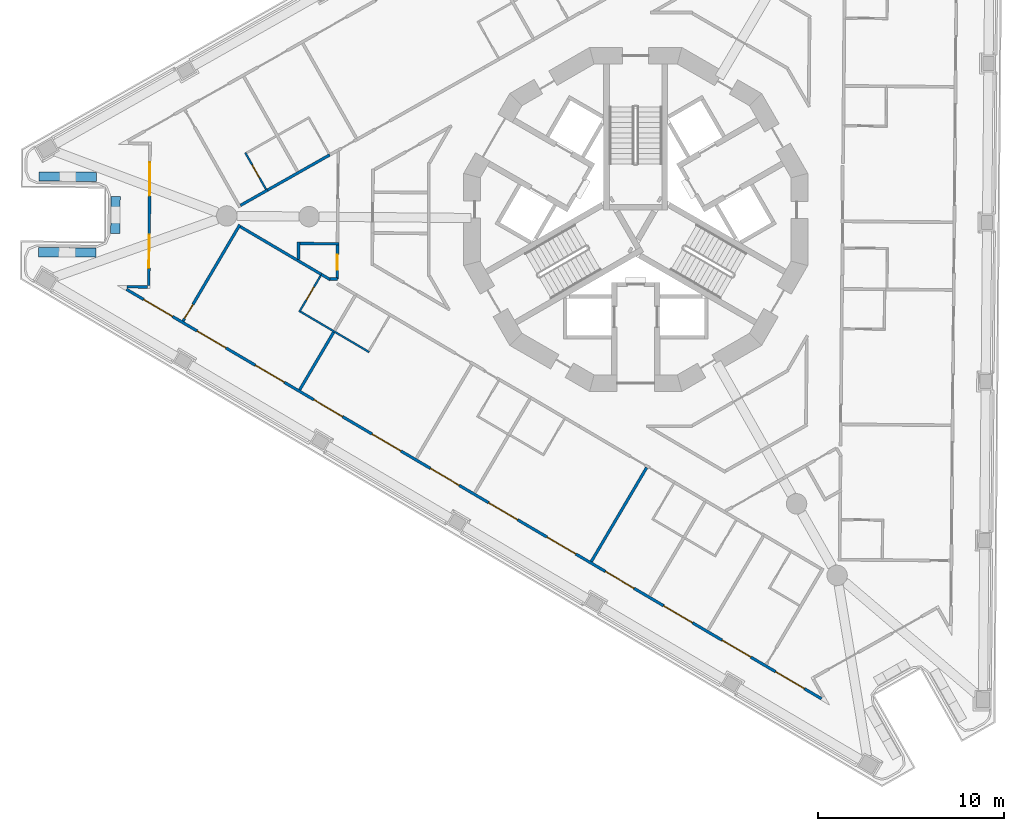
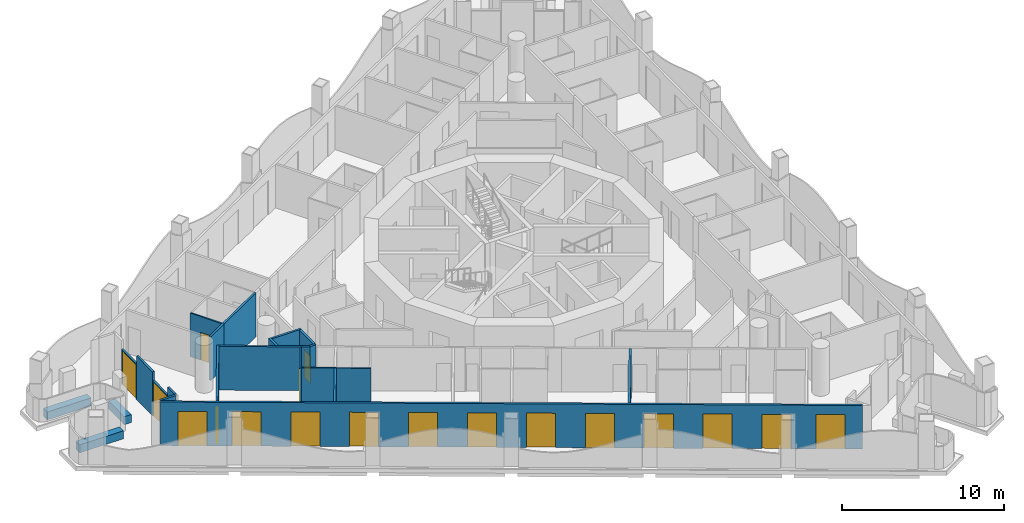
# One storey, part 2 of 17: 23 walls, 18 doors, 18 openings.
"""IFC4 building model written with IfcOpenShell, lengths in metres."""

from ifc_helpers import new_model, si_unit, direction, frame, frame_2d, origin, place, context, subcontext, project, spatial, polyline, rectangle, outline, extrude, material, layer, layer_set, type_object, element, fill, save


model = new_model("IFC4")

# Units and contexts
model_context = context("Model", 3, precision=1e-05, world=origin(), true_north=direction((0.0, 1.0)))
body_context = subcontext(model_context, "Body", "Model", "MODEL_VIEW")
ifc_project = project(units=[si_unit("LENGTHUNIT", "METRE"), si_unit("AREAUNIT", "SQUARE_METRE"), si_unit("VOLUMEUNIT", "CUBIC_METRE"), si_unit("PLANEANGLEUNIT", "RADIAN"), si_unit("MASSUNIT", "GRAM", prefix="KILO")], contexts=[model_context])

# Site, building, storey
site_placement = place(None, origin())
site = spatial("IfcSite", under=ifc_project, at=site_placement, CompositionType="ELEMENT")
building_placement = place(site_placement, origin())
building = spatial("IfcBuilding", under=site, at=building_placement, Name="Trine Commons Tower", CompositionType="ELEMENT")
storey_placement = place(building_placement, frame((0.0, 0.0, 164.699951171875)))
storey = spatial("IfcBuildingStorey", under=building, at=storey_placement, Name="L42", CompositionType="ELEMENT", Elevation=164.699951171875)

# Walls
ifc_material_1 = material(Name="Aluminium-framed insulated wall panel", Category="aluminium")
ifc_layer_1 = layer(ifc_material_1, 0.14990234375)
ifc_layer_set_1 = layer_set([ifc_layer_1], Name="Aluminium-framed insulated wall panel")
wall_type_1 = type_object("IfcWallType", Name="Glazed frame wall 150, EI 60", PredefinedType="SOLIDWALL", material=ifc_layer_set_1)
wall_1_placement = place(storey_placement, frame((52.447265625, 58.875244140625, 0.0), z_axis=(0.0, 0.0, 1.0), x_axis=(0.999962043845, -0.008712684354, 0.0)))
element("IfcWall", 1, at=wall_1_placement, inside=storey, type_object=wall_type_1, Name="Glazed frame wall R1", PredefinedType="SOLIDWALL", context=body_context, shape_type="SweptSolid", body=[
    extrude(outline(polyline([(0.1494140625, 0.074951171875), (0.1494140625, -0.074951171875), (1.235107421875, -0.074951171875), (1.235107421875, 0.074951171875), (0.1494140625, 0.074951171875)])), origin(), (0.0, 0.0, 1.0), 3.300048828125),
])
wall_2_placement = place(storey_placement, frame((53.7568359375, 58.828857421875, 0.0), z_axis=(0.0, 0.0, 1.0), x_axis=(0.008788723053, 0.999961378428, 0.0)))
element("IfcWall", 2, at=wall_2_placement, inside=storey, type_object=wall_type_1, Name="Glazed frame wall P1.1", PredefinedType="SOLIDWALL", context=body_context, shape_type="SweptSolid", body=[
    extrude(outline(polyline([(0.110107421875, -0.074951171875), (1.0, -0.074951171875), (1.0, 0.074951171875), (0.110107421875, 0.074951171875), (0.110107421875, -0.074951171875)])), origin(), (0.0, 0.0, 1.0), 3.300048828125),
])

# Wall, opening, door
wall_3_placement = place(storey_placement, frame((53.765625, 59.828857421875, 0.0), z_axis=(0.0, 0.0, 1.0), x_axis=(0.008737780017, 0.999961824872, 0.0)))
wall_3 = element("IfcWall", 3, at=wall_3_placement, inside=storey, type_object=wall_type_1, Name="Glazed frame wall P1.2", PredefinedType="SOLIDWALL", context=body_context, shape_type="SweptSolid", body=[
    extrude(outline(polyline([(0.0, -0.074951171875), (1.89990234375, -0.074951171875), (1.89990234375, 0.074951171875), (0.0, 0.074951171875), (0.0, -0.074951171875)])), origin(), (0.0, 0.0, 1.0), 2.650146484375),
])
opening_1_placement = place(wall_3_placement, frame((0.050048828125, 0.0, 0.0)))
opening_1 = element("IfcOpeningElement", 4, at=opening_1_placement, cuts=wall_3, Name="Opening BD-5P1-01", PredefinedType="OPENING", context=body_context, shape_type="SweptSolid", body=[
    extrude(rectangle(XDim=1.800048828125, YDim=2.60009765625, at=frame_2d((0.89990234375, 1.300048828125))), frame((0.0, 0.0849609375, 0.0), z_axis=(0.0, -1.0, 0.0), x_axis=(1.0, 0.0, 0.0)), (0.0, 0.0, 1.0), 0.169921875),
])
ifc_material_2 = material(Name="Anodised aluminium frame with double glazing", Category="aluminium")
door_type_1 = type_object("IfcDoorType", Name="Sliding loggia door 1800x2600", OperationType="SLIDING_TO_LEFT", PredefinedType="DOOR", material=ifc_material_2)
door_1_placement = place(opening_1_placement, origin())
door_1 = element("IfcDoor", 5, at=door_1_placement, inside=storey, type_object=door_type_1, Name="Loggia door P1 1", OperationType="SLIDING_TO_LEFT", OverallHeight=2.60009765625, OverallWidth=1.800048828125, PredefinedType="DOOR", context=body_context, shape_type="SweptSolid", body=[
    extrude(rectangle(XDim=1.800048828125, YDim=2.60009765625, at=frame_2d((0.89990234375, 1.300048828125))), frame((0.0, 0.02490234375, 0.0), z_axis=(0.0, -1.0, 0.0), x_axis=(1.0, 0.0, 0.0)), (0.0, 0.0, 1.0), 0.050048828125),
])
fill(opening_1, door_1)

# Wall
wall_4_placement = place(storey_placement, frame((53.7822265625, 61.728759765625, 0.0), z_axis=(0.0, 0.0, 1.0), x_axis=(0.008788723053, 0.999961378428, 0.0)))
element("IfcWall", 6, at=wall_4_placement, inside=storey, type_object=wall_type_1, Name="Glazed frame wall P1.3", PredefinedType="SOLIDWALL", context=body_context, shape_type="SweptSolid", body=[
    extrude(outline(polyline([(0.0, -0.074951171875), (2.0, -0.074951171875), (2.0, 0.074951171875), (0.0, 0.074951171875), (0.0, -0.074951171875)])), origin(), (0.0, 0.0, 1.0), 3.300048828125),
])

# Wall, opening, door
wall_5_placement = place(storey_placement, frame((53.7998046875, 63.728759765625, 0.0), z_axis=(0.0, 0.0, 1.0), x_axis=(0.008609292847, 0.999962939352, 0.0)))
wall_5 = element("IfcWall", 7, at=wall_5_placement, inside=storey, type_object=wall_type_1, Name="Glazed frame wall P1.4", PredefinedType="SOLIDWALL", context=body_context, shape_type="SweptSolid", body=[
    extrude(outline(polyline([(0.0, -0.074951171875), (1.89990234375, -0.074951171875), (1.89990234375, 0.074951171875), (0.0, 0.074951171875), (0.0, -0.074951171875)])), origin(), (0.0, 0.0, 1.0), 2.650146484375),
])
opening_2_placement = place(wall_5_placement, frame((0.050048828125, 0.0, 0.0)))
opening_2 = element("IfcOpeningElement", 8, at=opening_2_placement, cuts=wall_5, Name="Opening BD-5P1-02", PredefinedType="OPENING", context=body_context, shape_type="SweptSolid", body=[
    extrude(rectangle(XDim=1.800048828125, YDim=2.60009765625, at=frame_2d((0.89990234375, 1.300048828125))), frame((0.0, 0.0849609375, 0.0), z_axis=(0.0, -1.0, 0.0), x_axis=(1.0, 0.0, 0.0)), (0.0, 0.0, 1.0), 0.169921875),
])
door_2_placement = place(opening_2_placement, origin())
door_2 = element("IfcDoor", 9, at=door_2_placement, inside=storey, type_object=door_type_1, Name="Loggia door P1 2", OperationType="SLIDING_TO_LEFT", OverallHeight=2.60009765625, OverallWidth=1.800048828125, PredefinedType="DOOR", context=body_context, shape_type="SweptSolid", body=[
    extrude(rectangle(XDim=1.800048828125, YDim=2.60009765625, at=frame_2d((0.89990234375, 1.300048828125))), frame((0.0, 0.02490234375, 0.0), z_axis=(0.0, -1.0, 0.0), x_axis=(1.0, 0.0, 0.0)), (0.0, 0.0, 1.0), 0.050048828125),
])
fill(opening_2, door_2)

# Wall, openings, doors
wall_6_placement = place(storey_placement, frame((90.139404296875, 36.59716796875, 0.0), z_axis=(0.0, 0.0, 1.0), x_axis=(-0.861630336939, 0.507536365659, 0.0)))
wall_6 = element("IfcWall", 10, at=wall_6_placement, inside=storey, type_object=wall_type_1, Name="Glazed frame wall F3", PredefinedType="SOLIDWALL", context=body_context, shape_type="SweptSolid", body=[
    extrude(outline(polyline([(0.1494140625, 0.074951171875), (0.1494140625, -0.074951171875), (43.616943359375, -0.074951171875), (43.616943359375, 0.074951171875), (0.1494140625, 0.074951171875)])), origin(), (0.0, 0.0, 1.0), 3.300048828125),
])
opening_3_placement = place(wall_6_placement, frame((1.2236328125, 0.0, 0.0)))
opening_3 = element("IfcOpeningElement", 11, at=opening_3_placement, cuts=wall_6, Name="Opening BD-5F3-01", PredefinedType="OPENING", context=body_context, shape_type="SweptSolid", body=[
    extrude(rectangle(XDim=1.800048828125, YDim=2.60009765625, at=frame_2d((0.89990234375, 1.300048828125))), frame((0.0, 0.0849609375, 0.0), z_axis=(0.0, -1.0, 0.0), x_axis=(1.0, 0.0, 0.0)), (0.0, 0.0, 1.0), 0.169921875),
])
opening_4_placement = place(wall_6_placement, frame((4.57080078125, 0.0, 0.0)))
opening_4 = element("IfcOpeningElement", 12, at=opening_4_placement, cuts=wall_6, Name="Opening BD-5F3-02", PredefinedType="OPENING", context=body_context, shape_type="SweptSolid", body=[
    extrude(rectangle(XDim=1.800048828125, YDim=2.60009765625, at=frame_2d((0.89990234375, 1.300048828125))), frame((0.0, 0.0849609375, 0.0), z_axis=(0.0, -1.0, 0.0), x_axis=(1.0, 0.0, 0.0)), (0.0, 0.0, 1.0), 0.169921875),
])
opening_5_placement = place(wall_6_placement, frame((8.218017578125, 0.0, 0.0)))
opening_5 = element("IfcOpeningElement", 13, at=opening_5_placement, cuts=wall_6, Name="Opening BD-5F3-03", PredefinedType="OPENING", context=body_context, shape_type="SweptSolid", body=[
    extrude(rectangle(XDim=1.800048828125, YDim=2.60009765625, at=frame_2d((0.89990234375, 1.300048828125))), frame((0.0, 0.0849609375, 0.0), z_axis=(0.0, -1.0, 0.0), x_axis=(1.0, 0.0, 0.0)), (0.0, 0.0, 1.0), 0.169921875),
])
opening_6_placement = place(wall_6_placement, frame((11.865234375, 0.0, 0.0)))
opening_6 = element("IfcOpeningElement", 14, at=opening_6_placement, cuts=wall_6, Name="Opening BD-5F3-04", PredefinedType="OPENING", context=body_context, shape_type="SweptSolid", body=[
    extrude(rectangle(XDim=1.800048828125, YDim=2.60009765625, at=frame_2d((0.89990234375, 1.300048828125))), frame((0.0, 0.0849609375, 0.0), z_axis=(0.0, -1.0, 0.0), x_axis=(1.0, 0.0, 0.0)), (0.0, 0.0, 1.0), 0.169921875),
])
opening_7_placement = place(wall_6_placement, frame((15.512451171875, 0.0, 0.0)))
opening_7 = element("IfcOpeningElement", 15, at=opening_7_placement, cuts=wall_6, Name="Opening BD-5F3-05", PredefinedType="OPENING", context=body_context, shape_type="SweptSolid", body=[
    extrude(rectangle(XDim=1.800048828125, YDim=2.60009765625, at=frame_2d((0.89990234375, 1.300048828125))), frame((0.0, 0.0849609375, 0.0), z_axis=(0.0, -1.0, 0.0), x_axis=(1.0, 0.0, 0.0)), (0.0, 0.0, 1.0), 0.169921875),
])
opening_8_placement = place(wall_6_placement, frame((19.15966796875, 0.0, 0.0)))
opening_8 = element("IfcOpeningElement", 16, at=opening_8_placement, cuts=wall_6, Name="Opening BD-5F3-06", PredefinedType="OPENING", context=body_context, shape_type="SweptSolid", body=[
    extrude(rectangle(XDim=1.800048828125, YDim=2.60009765625, at=frame_2d((0.89990234375, 1.300048828125))), frame((0.0, 0.0849609375, 0.0), z_axis=(0.0, -1.0, 0.0), x_axis=(1.0, 0.0, 0.0)), (0.0, 0.0, 1.0), 0.169921875),
])
opening_9_placement = place(wall_6_placement, frame((22.806884765625, 0.0, 0.0)))
opening_9 = element("IfcOpeningElement", 17, at=opening_9_placement, cuts=wall_6, Name="Opening BD-5F3-07", PredefinedType="OPENING", context=body_context, shape_type="SweptSolid", body=[
    extrude(rectangle(XDim=1.800048828125, YDim=2.60009765625, at=frame_2d((0.89990234375, 1.300048828125))), frame((0.0, 0.0849609375, 0.0), z_axis=(0.0, -1.0, 0.0), x_axis=(1.0, 0.0, 0.0)), (0.0, 0.0, 1.0), 0.169921875),
])
opening_10_placement = place(wall_6_placement, frame((26.4541015625, 0.0, 0.0)))
opening_10 = element("IfcOpeningElement", 18, at=opening_10_placement, cuts=wall_6, Name="Opening BD-5F3-08", PredefinedType="OPENING", context=body_context, shape_type="SweptSolid", body=[
    extrude(rectangle(XDim=1.800048828125, YDim=2.60009765625, at=frame_2d((0.89990234375, 1.300048828125))), frame((0.0, 0.0849609375, 0.0), z_axis=(0.0, -1.0, 0.0), x_axis=(1.0, 0.0, 0.0)), (0.0, 0.0, 1.0), 0.169921875),
])
opening_11_placement = place(wall_6_placement, frame((30.101318359375, 0.0, 0.0)))
opening_11 = element("IfcOpeningElement", 19, at=opening_11_placement, cuts=wall_6, Name="Opening BD-5F3-09", PredefinedType="OPENING", context=body_context, shape_type="SweptSolid", body=[
    extrude(rectangle(XDim=1.800048828125, YDim=2.60009765625, at=frame_2d((0.89990234375, 1.300048828125))), frame((0.0, 0.0849609375, 0.0), z_axis=(0.0, -1.0, 0.0), x_axis=(1.0, 0.0, 0.0)), (0.0, 0.0, 1.0), 0.169921875),
])
opening_12_placement = place(wall_6_placement, frame((33.748291015625, 0.0, 0.0)))
opening_12 = element("IfcOpeningElement", 20, at=opening_12_placement, cuts=wall_6, Name="Opening BD-5F3-10", PredefinedType="OPENING", context=body_context, shape_type="SweptSolid", body=[
    extrude(rectangle(XDim=1.800048828125, YDim=2.60009765625, at=frame_2d((0.89990234375, 1.300048828125))), frame((0.0, 0.0849609375, 0.0), z_axis=(0.0, -1.0, 0.0), x_axis=(1.0, 0.0, 0.0)), (0.0, 0.0, 1.0), 0.169921875),
])
opening_13_placement = place(wall_6_placement, frame((37.3955078125, 0.0, 0.0)))
opening_13 = element("IfcOpeningElement", 21, at=opening_13_placement, cuts=wall_6, Name="Opening BD-5F3-11", PredefinedType="OPENING", context=body_context, shape_type="SweptSolid", body=[
    extrude(rectangle(XDim=1.800048828125, YDim=2.60009765625, at=frame_2d((0.89990234375, 1.300048828125))), frame((0.0, 0.0849609375, 0.0), z_axis=(0.0, -1.0, 0.0), x_axis=(1.0, 0.0, 0.0)), (0.0, 0.0, 1.0), 0.169921875),
])
opening_14_placement = place(wall_6_placement, frame((40.742919921875, 0.0, 0.0)))
opening_14 = element("IfcOpeningElement", 22, at=opening_14_placement, cuts=wall_6, Name="Opening BD-5F3-12", PredefinedType="OPENING", context=body_context, shape_type="SweptSolid", body=[
    extrude(rectangle(XDim=1.800048828125, YDim=2.60009765625, at=frame_2d((0.89990234375, 1.300048828125))), frame((0.0, 0.0849609375, 0.0), z_axis=(0.0, -1.0, 0.0), x_axis=(1.0, 0.0, 0.0)), (0.0, 0.0, 1.0), 0.169921875),
])
door_3_placement = place(opening_3_placement, origin())
door_3 = element("IfcDoor", 23, at=door_3_placement, inside=storey, type_object=door_type_1, Name="Loggia door F3 1", OperationType="SLIDING_TO_LEFT", OverallHeight=2.60009765625, OverallWidth=1.800048828125, PredefinedType="DOOR", context=body_context, shape_type="SweptSolid", body=[
    extrude(rectangle(XDim=1.800048828125, YDim=2.60009765625, at=frame_2d((0.89990234375, 1.300048828125))), frame((0.0, 0.02490234375, 0.0), z_axis=(0.0, -1.0, 0.0), x_axis=(1.0, 0.0, 0.0)), (0.0, 0.0, 1.0), 0.050048828125),
])
fill(opening_3, door_3)
door_4_placement = place(opening_4_placement, origin())
door_4 = element("IfcDoor", 24, at=door_4_placement, inside=storey, type_object=door_type_1, Name="Loggia door F3 2", OperationType="SLIDING_TO_LEFT", OverallHeight=2.60009765625, OverallWidth=1.800048828125, PredefinedType="DOOR", context=body_context, shape_type="SweptSolid", body=[
    extrude(rectangle(XDim=1.800048828125, YDim=2.60009765625, at=frame_2d((0.89990234375, 1.300048828125))), frame((0.0, 0.02490234375, 0.0), z_axis=(0.0, -1.0, 0.0), x_axis=(1.0, 0.0, 0.0)), (0.0, 0.0, 1.0), 0.050048828125),
])
fill(opening_4, door_4)
door_5_placement = place(opening_5_placement, origin())
door_5 = element("IfcDoor", 25, at=door_5_placement, inside=storey, type_object=door_type_1, Name="Loggia door F3 3", OperationType="SLIDING_TO_LEFT", OverallHeight=2.60009765625, OverallWidth=1.800048828125, PredefinedType="DOOR", context=body_context, shape_type="SweptSolid", body=[
    extrude(rectangle(XDim=1.800048828125, YDim=2.60009765625, at=frame_2d((0.89990234375, 1.300048828125))), frame((0.0, 0.02490234375, 0.0), z_axis=(0.0, -1.0, 0.0), x_axis=(1.0, 0.0, 0.0)), (0.0, 0.0, 1.0), 0.050048828125),
])
fill(opening_5, door_5)
door_6_placement = place(opening_6_placement, origin())
door_6 = element("IfcDoor", 26, at=door_6_placement, inside=storey, type_object=door_type_1, Name="Loggia door F3 4", OperationType="SLIDING_TO_LEFT", OverallHeight=2.60009765625, OverallWidth=1.800048828125, PredefinedType="DOOR", context=body_context, shape_type="SweptSolid", body=[
    extrude(rectangle(XDim=1.800048828125, YDim=2.60009765625, at=frame_2d((0.89990234375, 1.300048828125))), frame((0.0, 0.02490234375, 0.0), z_axis=(0.0, -1.0, 0.0), x_axis=(1.0, 0.0, 0.0)), (0.0, 0.0, 1.0), 0.050048828125),
])
fill(opening_6, door_6)
door_7_placement = place(opening_7_placement, origin())
door_7 = element("IfcDoor", 27, at=door_7_placement, inside=storey, type_object=door_type_1, Name="Loggia door F3 5", OperationType="SLIDING_TO_LEFT", OverallHeight=2.60009765625, OverallWidth=1.800048828125, PredefinedType="DOOR", context=body_context, shape_type="SweptSolid", body=[
    extrude(rectangle(XDim=1.800048828125, YDim=2.60009765625, at=frame_2d((0.89990234375, 1.300048828125))), frame((0.0, 0.02490234375, 0.0), z_axis=(0.0, -1.0, 0.0), x_axis=(1.0, 0.0, 0.0)), (0.0, 0.0, 1.0), 0.050048828125),
])
fill(opening_7, door_7)
door_8_placement = place(opening_8_placement, origin())
door_8 = element("IfcDoor", 28, at=door_8_placement, inside=storey, type_object=door_type_1, Name="Loggia door F3 6", OperationType="SLIDING_TO_LEFT", OverallHeight=2.60009765625, OverallWidth=1.800048828125, PredefinedType="DOOR", context=body_context, shape_type="SweptSolid", body=[
    extrude(rectangle(XDim=1.800048828125, YDim=2.60009765625, at=frame_2d((0.89990234375, 1.300048828125))), frame((0.0, 0.02490234375, 0.0), z_axis=(0.0, -1.0, 0.0), x_axis=(1.0, 0.0, 0.0)), (0.0, 0.0, 1.0), 0.050048828125),
])
fill(opening_8, door_8)
door_9_placement = place(opening_9_placement, origin())
door_9 = element("IfcDoor", 29, at=door_9_placement, inside=storey, type_object=door_type_1, Name="Loggia door F3 7", OperationType="SLIDING_TO_LEFT", OverallHeight=2.60009765625, OverallWidth=1.800048828125, PredefinedType="DOOR", context=body_context, shape_type="SweptSolid", body=[
    extrude(rectangle(XDim=1.800048828125, YDim=2.60009765625, at=frame_2d((0.89990234375, 1.300048828125))), frame((0.0, 0.02490234375, 0.0), z_axis=(0.0, -1.0, 0.0), x_axis=(1.0, 0.0, 0.0)), (0.0, 0.0, 1.0), 0.050048828125),
])
fill(opening_9, door_9)
door_10_placement = place(opening_10_placement, origin())
door_10 = element("IfcDoor", 30, at=door_10_placement, inside=storey, type_object=door_type_1, Name="Loggia door F3 8", OperationType="SLIDING_TO_LEFT", OverallHeight=2.60009765625, OverallWidth=1.800048828125, PredefinedType="DOOR", context=body_context, shape_type="SweptSolid", body=[
    extrude(rectangle(XDim=1.800048828125, YDim=2.60009765625, at=frame_2d((0.89990234375, 1.300048828125))), frame((0.0, 0.02490234375, 0.0), z_axis=(0.0, -1.0, 0.0), x_axis=(1.0, 0.0, 0.0)), (0.0, 0.0, 1.0), 0.050048828125),
])
fill(opening_10, door_10)
door_11_placement = place(opening_11_placement, origin())
door_11 = element("IfcDoor", 31, at=door_11_placement, inside=storey, type_object=door_type_1, Name="Loggia door F3 9", OperationType="SLIDING_TO_LEFT", OverallHeight=2.60009765625, OverallWidth=1.800048828125, PredefinedType="DOOR", context=body_context, shape_type="SweptSolid", body=[
    extrude(rectangle(XDim=1.800048828125, YDim=2.60009765625, at=frame_2d((0.89990234375, 1.300048828125))), frame((0.0, 0.02490234375, 0.0), z_axis=(0.0, -1.0, 0.0), x_axis=(1.0, 0.0, 0.0)), (0.0, 0.0, 1.0), 0.050048828125),
])
fill(opening_11, door_11)
door_12_placement = place(opening_12_placement, origin())
door_12 = element("IfcDoor", 32, at=door_12_placement, inside=storey, type_object=door_type_1, Name="Loggia door F3 10", OperationType="SLIDING_TO_LEFT", OverallHeight=2.60009765625, OverallWidth=1.800048828125, PredefinedType="DOOR", context=body_context, shape_type="SweptSolid", body=[
    extrude(rectangle(XDim=1.800048828125, YDim=2.60009765625, at=frame_2d((0.89990234375, 1.300048828125))), frame((0.0, 0.02490234375, 0.0), z_axis=(0.0, -1.0, 0.0), x_axis=(1.0, 0.0, 0.0)), (0.0, 0.0, 1.0), 0.050048828125),
])
fill(opening_12, door_12)
door_13_placement = place(opening_13_placement, origin())
door_13 = element("IfcDoor", 33, at=door_13_placement, inside=storey, type_object=door_type_1, Name="Loggia door F3 11", OperationType="SLIDING_TO_LEFT", OverallHeight=2.60009765625, OverallWidth=1.800048828125, PredefinedType="DOOR", context=body_context, shape_type="SweptSolid", body=[
    extrude(rectangle(XDim=1.800048828125, YDim=2.60009765625, at=frame_2d((0.89990234375, 1.300048828125))), frame((0.0, 0.02490234375, 0.0), z_axis=(0.0, -1.0, 0.0), x_axis=(1.0, 0.0, 0.0)), (0.0, 0.0, 1.0), 0.050048828125),
])
fill(opening_13, door_13)
door_14_placement = place(opening_14_placement, origin())
door_14 = element("IfcDoor", 34, at=door_14_placement, inside=storey, type_object=door_type_1, Name="Loggia door F3 12", OperationType="SLIDING_TO_LEFT", OverallHeight=2.60009765625, OverallWidth=1.800048828125, PredefinedType="DOOR", context=body_context, shape_type="SweptSolid", body=[
    extrude(rectangle(XDim=1.800048828125, YDim=2.60009765625, at=frame_2d((0.89990234375, 1.300048828125))), frame((0.0, 0.02490234375, 0.0), z_axis=(0.0, -1.0, 0.0), x_axis=(1.0, 0.0, 0.0)), (0.0, 0.0, 1.0), 0.050048828125),
])
fill(opening_14, door_14)

# Walls
ifc_material_3 = material(Name="Planter trough, precast concrete C40/50", Category="concrete")
ifc_layer_2 = layer(ifc_material_3, 0.5)
ifc_layer_set_2 = layer_set([ifc_layer_2], Name="Planter trough, precast concrete C40/50")
wall_type_2 = type_object("IfcWallType", Name="Planter trough 500x600", PredefinedType="PARAPET", material=ifc_layer_set_2)
wall_7_placement = place(storey_placement, frame((47.808349609375, 60.74072265625, 0.0), z_axis=(0.0, 0.0, 1.0), x_axis=(0.99996247431, -0.008663138708, 0.0)))
element("IfcWall", 35, at=wall_7_placement, inside=storey, type_object=wall_type_2, Name="Planter 1", PredefinedType="PARAPET", context=body_context, shape_type="SweptSolid", body=[
    extrude(rectangle(XDim=3.099853515625, YDim=0.5, at=frame_2d((1.5498046875, 0.0))), origin(), (0.0, 0.0, 1.0), 0.60009765625),
])
wall_8_placement = place(storey_placement, frame((51.957275390625, 61.74462890625, 0.0), z_axis=(0.0, 0.0, 1.0), x_axis=(0.008666666688, 0.999962443739, 0.0)))
element("IfcWall", 36, at=wall_8_placement, inside=storey, type_object=wall_type_2, Name="Planter 2", PredefinedType="PARAPET", context=body_context, shape_type="SweptSolid", body=[
    extrude(rectangle(XDim=2.0, YDim=0.5, at=frame_2d((1.0, 0.0))), origin(), (0.0, 0.0, 1.0), 0.60009765625),
])
wall_9_placement = place(storey_placement, frame((50.94384765625, 64.793701171875, 0.0), z_axis=(0.0, 0.0, 1.0), x_axis=(-0.999961788962, 0.008741888523, 0.0)))
element("IfcWall", 37, at=wall_9_placement, inside=storey, type_object=wall_type_2, Name="Planter 3", PredefinedType="PARAPET", context=body_context, shape_type="SweptSolid", body=[
    extrude(rectangle(XDim=3.099853515625, YDim=0.5, at=frame_2d((1.5498046875, 0.0))), origin(), (0.0, 0.0, 1.0), 0.60009765625),
])

# Wall, opening, door
ifc_material_4 = material(Name="Gypsum plasterboard on steel stud", Category="steel")
ifc_layer_3 = layer(ifc_material_4, 0.14990234375)
ifc_layer_set_3 = layer_set([ifc_layer_3], Name="Gypsum plasterboard on steel stud")
wall_type_3 = type_object("IfcWallType", Name="Unit and corridor wall 150 mm, EI 60", PredefinedType="PARTITIONING", material=ifc_layer_set_3)
wall_10_placement = place(storey_placement, frame((55.609375, 57.0234375, 0.0), z_axis=(0.0, 0.0, 1.0), x_axis=(0.507512364089, 0.861644474419, 0.0)))
wall_10 = element("IfcWall", 38, at=wall_10_placement, inside=storey, type_object=wall_type_3, Name="Partition 001", PredefinedType="PARTITIONING", context=body_context, shape_type="SweptSolid", body=[
    extrude(rectangle(XDim=6.024658203125, YDim=0.14990234375, at=frame_2d((3.01220703125, 0.0))), origin(), (0.0, 0.0, 1.0), 3.300048828125),
])
opening_15_placement = place(wall_10_placement, frame((0.14990234375, 0.0, 0.0)))
opening_15 = element("IfcOpeningElement", 39, at=opening_15_placement, cuts=wall_10, Name="Opening D-5A25", PredefinedType="OPENING", context=body_context, shape_type="SweptSolid", body=[
    extrude(rectangle(XDim=0.89990234375, YDim=2.10009765625, at=frame_2d((0.449951171875, 1.050048828125))), frame((0.0, 0.0849609375, 0.0), z_axis=(0.0, -1.0, 0.0), x_axis=(1.0, 0.0, 0.0)), (0.0, 0.0, 1.0), 0.169921875),
])
ifc_material_5 = material(Name="Timber fire door set", Category="wood")
door_type_2 = type_object("IfcDoorType", Name="Bedroom door 900 x 2100, FD30S", OperationType="NOTDEFINED", PredefinedType="DOOR", material=ifc_material_5)
door_15_placement = place(opening_15_placement, frame((0.89990234375, 0.0, 0.0), z_axis=(0.0, 0.0, 1.0), x_axis=(-1.0, 0.0, 0.0)))
door_15 = element("IfcDoor", 40, at=door_15_placement, inside=storey, type_object=door_type_2, Name="Door D-5A25", OperationType="SINGLE_SWING_RIGHT", OverallHeight=2.10009765625, OverallWidth=0.89990234375, PredefinedType="DOOR", context=body_context, shape_type="SweptSolid", body=[
    extrude(rectangle(XDim=0.89990234375, YDim=2.10009765625, at=frame_2d((0.449951171875, 1.050048828125))), frame((0.0, 0.02490234375, 0.0), z_axis=(0.0, -1.0, 0.0), x_axis=(1.0, 0.0, 0.0)), (0.0, 0.0, 1.0), 0.050048828125),
])
fill(opening_15, door_15)

# Walls
wall_11_placement = place(storey_placement, frame((58.693603515625, 62.11181640625, 0.0), z_axis=(0.0, 0.0, 1.0), x_axis=(0.861647069411, -0.507507958336, 0.0)))
element("IfcWall", 41, at=wall_11_placement, inside=storey, type_object=wall_type_3, Name="Partition 003", PredefinedType="PARTITIONING", context=body_context, shape_type="SweptSolid", body=[
    extrude(rectangle(XDim=5.0732421875, YDim=0.14990234375, at=frame_2d((2.53662109375, 0.0))), origin(), (0.0, 0.0, 1.0), 3.300048828125),
])
wall_12_placement = place(storey_placement, frame((58.704345703125, 63.260009765625, 0.0), z_axis=(0.0, 0.0, 1.0), x_axis=(0.870190857822, 0.492714796778, 0.0)))
element("IfcWall", 42, at=wall_12_placement, inside=storey, type_object=wall_type_3, Name="Partition 004", PredefinedType="PARTITIONING", context=body_context, shape_type="SweptSolid", body=[
    extrude(rectangle(XDim=1.67578125, YDim=0.14990234375, at=frame_2d((0.837890625, 0.0))), origin(), (0.0, 0.0, 1.0), 3.300048828125),
])
wall_13_placement = place(storey_placement, frame((60.113037109375, 64.056884765625, 0.0), z_axis=(0.0, 0.0, 1.0), x_axis=(0.870300828713, 0.492520524995, 0.0)))
element("IfcWall", 43, at=wall_13_placement, inside=storey, type_object=wall_type_3, Name="Partition 008", PredefinedType="PARTITIONING", context=body_context, shape_type="SweptSolid", body=[
    extrude(rectangle(XDim=3.906494140625, YDim=0.14990234375, at=frame_2d((1.953125, 0.0))), origin(), (0.0, 0.0, 1.0), 3.300048828125),
])
wall_14_placement = place(storey_placement, frame((61.82568359375, 60.343017578125, 0.0), z_axis=(0.0, 0.0, 1.0), x_axis=(0.008337386084, 0.999965243393, 0.0)))
element("IfcWall", 44, at=wall_14_placement, inside=storey, type_object=wall_type_3, Name="Partition 010", PredefinedType="PARTITIONING", context=body_context, shape_type="SweptSolid", body=[
    extrude(rectangle(XDim=0.93701171875, YDim=0.14990234375, at=frame_2d((0.468505859375, 0.0))), origin(), (0.0, 0.0, 1.0), 3.300048828125),
])
wall_15_placement = place(storey_placement, frame((61.907958984375, 61.204345703125, 0.0), z_axis=(0.0, 0.0, 1.0), x_axis=(0.999962964822, -0.008606333961, 0.0)))
element("IfcWall", 45, at=wall_15_placement, inside=storey, type_object=wall_type_3, Name="Partition 011", PredefinedType="PARTITIONING", context=body_context, shape_type="SweptSolid", body=[
    extrude(rectangle(XDim=2.09912109375, YDim=0.14990234375, at=frame_2d((1.049560546875, 0.0))), origin(), (0.0, 0.0, 1.0), 3.300048828125),
])
wall_16_placement = place(storey_placement, frame((61.894287109375, 53.321533203125, 0.0), z_axis=(0.0, 0.0, 1.0), x_axis=(0.507657247854, 0.86155912084, 0.0)))
element("IfcWall", 46, at=wall_16_placement, inside=storey, type_object=wall_type_3, Name="Partition 012", PredefinedType="PARTITIONING", context=body_context, shape_type="SweptSolid", body=[
    extrude(rectangle(XDim=3.599609375, YDim=0.14990234375, at=frame_2d((1.7998046875, 0.0))), origin(), (0.0, 0.0, 1.0), 3.300048828125),
])
wall_17_placement = place(storey_placement, frame((63.05908203125, 59.541015625, 0.0), z_axis=(0.0, 0.0, 1.0), x_axis=(0.861380392191, -0.507960451167, 0.0)))
element("IfcWall", 47, at=wall_17_placement, inside=storey, type_object=wall_type_3, Name="Partition 017", PredefinedType="PARTITIONING", context=body_context, shape_type="SweptSolid", body=[
    extrude(rectangle(XDim=0.567138671875, YDim=0.14990234375, at=frame_2d((0.28369140625, 0.0))), origin(), (0.0, 0.0, 1.0), 3.300048828125),
])
wall_18_placement = place(storey_placement, frame((63.537109375, 59.29052734375, 0.0), z_axis=(0.0, 0.0, 1.0), x_axis=(0.99995807265, -0.009157125207, 0.0)))
element("IfcWall", 48, at=wall_18_placement, inside=storey, type_object=wall_type_3, Name="Partition 018", PredefinedType="PARTITIONING", context=body_context, shape_type="SweptSolid", body=[
    extrude(rectangle(XDim=0.39990234375, YDim=0.14990234375, at=frame_2d((0.199951171875, 0.0))), origin(), (0.0, 0.0, 1.0), 3.300048828125),
])

# Wall, opening, door
wall_19_placement = place(storey_placement, frame((63.916015625, 59.282958984375, 0.0), z_axis=(0.0, 0.0, 1.0), x_axis=(0.008923459297, 0.999960185144, 0.0)))
wall_19 = element("IfcWall", 49, at=wall_19_placement, inside=storey, type_object=wall_type_3, Name="Partition 022", PredefinedType="PARTITIONING", context=body_context, shape_type="SweptSolid", body=[
    extrude(rectangle(XDim=1.8330078125, YDim=0.14990234375, at=frame_2d((0.91650390625, 0.0))), origin(), (0.0, 0.0, 1.0), 3.300048828125),
])
opening_16_placement = place(wall_19_placement, frame((0.5185546875, 0.0, 0.0)))
opening_16 = element("IfcOpeningElement", 50, at=opening_16_placement, cuts=wall_19, Name="Opening D-5A05", PredefinedType="OPENING", context=body_context, shape_type="SweptSolid", body=[
    extrude(rectangle(XDim=0.800048828125, YDim=2.10009765625, at=frame_2d((0.39990234375, 1.050048828125))), frame((0.0, 0.0849609375, 0.0), z_axis=(0.0, -1.0, 0.0), x_axis=(1.0, 0.0, 0.0)), (0.0, 0.0, 1.0), 0.169921875),
])
ifc_material_6 = material(Name="Painted timber", Category="wood")
door_type_3 = type_object("IfcDoorType", Name="Toilet door 800 x 2100, NOT RATED", OperationType="NOTDEFINED", PredefinedType="DOOR", material=ifc_material_6)
door_16_placement = place(opening_16_placement, origin())
door_16 = element("IfcDoor", 51, at=door_16_placement, inside=storey, type_object=door_type_3, Name="Door D-5A05", OperationType="SINGLE_SWING_RIGHT", OverallHeight=2.10009765625, OverallWidth=0.800048828125, PredefinedType="DOOR", context=body_context, shape_type="SweptSolid", body=[
    extrude(rectangle(XDim=0.800048828125, YDim=2.10009765625, at=frame_2d((0.39990234375, 1.050048828125))), frame((0.0, 0.02490234375, 0.0), z_axis=(0.0, -1.0, 0.0), x_axis=(1.0, 0.0, 0.0)), (0.0, 0.0, 1.0), 0.050048828125),
])
fill(opening_16, door_16)

# Wall
wall_20_placement = place(storey_placement, frame((77.607421875, 44.06640625, 0.0), z_axis=(0.0, 0.0, 1.0), x_axis=(0.507572206676, 0.861609224074, 0.0)))
element("IfcWall", 52, at=wall_20_placement, inside=storey, type_object=wall_type_3, Name="Partition 061", PredefinedType="PARTITIONING", context=body_context, shape_type="SweptSolid", body=[
    extrude(rectangle(XDim=5.8740234375, YDim=0.14990234375, at=frame_2d((2.93701171875, 0.0))), origin(), (0.0, 0.0, 1.0), 3.300048828125),
])

# Wall, opening, door
ifc_layer_4 = layer(ifc_material_4, 0.10009765625)
ifc_layer_set_4 = layer_set([ifc_layer_4], Name="Gypsum plasterboard on steel stud")
wall_type_4 = type_object("IfcWallType", Name="Unit partition 100 mm, no rating", PredefinedType="PARTITIONING", material=ifc_layer_set_4)
wall_21_placement = place(storey_placement, frame((58.95849609375, 66.1044921875, 0.0), z_axis=(0.0, 0.0, 1.0), x_axis=(0.49250622102, -0.870308923462, 0.0)))
wall_21 = element("IfcWall", 53, at=wall_21_placement, inside=storey, type_object=wall_type_4, Name="Partition 006", PredefinedType="PARTITIONING", context=body_context, shape_type="SweptSolid", body=[
    extrude(rectangle(XDim=2.275390625, YDim=0.10009765625, at=frame_2d((1.1376953125, 0.0))), origin(), (0.0, 0.0, 1.0), 3.300048828125),
])
opening_17_placement = place(wall_21_placement, frame((0.7626953125, 0.0, 0.0)))
opening_17 = element("IfcOpeningElement", 54, at=opening_17_placement, cuts=wall_21, Name="Opening D-5A31", PredefinedType="OPENING", context=body_context, shape_type="SweptSolid", body=[
    extrude(rectangle(XDim=0.800048828125, YDim=2.10009765625, at=frame_2d((0.39990234375, 1.050048828125))), frame((0.0, 0.06005859375, 0.0), z_axis=(0.0, -1.0, 0.0), x_axis=(1.0, 0.0, 0.0)), (0.0, 0.0, 1.0), 0.1201171875),
])
door_type_4 = type_object("IfcDoorType", Name="Internal door 800 x 2100, NOT RATED", OperationType="NOTDEFINED", PredefinedType="DOOR", material=ifc_material_6)
door_17_placement = place(opening_17_placement, frame((0.800048828125, 0.0, 0.0), z_axis=(0.0, 0.0, 1.0), x_axis=(-1.0, 0.0, 0.0)))
door_17 = element("IfcDoor", 55, at=door_17_placement, inside=storey, type_object=door_type_4, Name="Door D-5A31", OperationType="SINGLE_SWING_LEFT", OverallHeight=2.10009765625, OverallWidth=0.800048828125, PredefinedType="DOOR", context=body_context, shape_type="SweptSolid", body=[
    extrude(rectangle(XDim=0.800048828125, YDim=2.10009765625, at=frame_2d((0.39990234375, 1.050048828125))), frame((0.0, 0.02490234375, 0.0), z_axis=(0.0, -1.0, 0.0), x_axis=(1.0, 0.0, 0.0)), (0.0, 0.0, 1.0), 0.050048828125),
])
fill(opening_17, door_17)

wall_22_placement = place(storey_placement, frame((61.86865234375, 57.513916015625, 0.0), z_axis=(0.0, 0.0, 1.0), x_axis=(0.50769515182, 0.861536785528, 0.0)))
wall_22 = element("IfcWall", 56, at=wall_22_placement, inside=storey, type_object=wall_type_4, Name="Partition 013", PredefinedType="PARTITIONING", context=body_context, shape_type="SweptSolid", body=[
    extrude(rectangle(XDim=2.275634765625, YDim=0.10009765625, at=frame_2d((1.1376953125, 0.0))), origin(), (0.0, 0.0, 1.0), 3.300048828125),
])
opening_18_placement = place(wall_22_placement, frame((0.7626953125, 0.0, 0.0)))
opening_18 = element("IfcOpeningElement", 57, at=opening_18_placement, cuts=wall_22, Name="Opening D-5A50", PredefinedType="OPENING", context=body_context, shape_type="SweptSolid", body=[
    extrude(rectangle(XDim=0.800048828125, YDim=2.10009765625, at=frame_2d((0.39990234375, 1.050048828125))), frame((0.0, 0.06005859375, 0.0), z_axis=(0.0, -1.0, 0.0), x_axis=(1.0, 0.0, 0.0)), (0.0, 0.0, 1.0), 0.1201171875),
])
door_18_placement = place(opening_18_placement, origin())
door_18 = element("IfcDoor", 58, at=door_18_placement, inside=storey, type_object=door_type_4, Name="Door D-5A50", OperationType="SINGLE_SWING_RIGHT", OverallHeight=2.10009765625, OverallWidth=0.800048828125, PredefinedType="DOOR", context=body_context, shape_type="SweptSolid", body=[
    extrude(rectangle(XDim=0.800048828125, YDim=2.10009765625, at=frame_2d((0.39990234375, 1.050048828125))), frame((0.0, 0.02490234375, 0.0), z_axis=(0.0, -1.0, 0.0), x_axis=(1.0, 0.0, 0.0)), (0.0, 0.0, 1.0), 0.050048828125),
])
fill(opening_18, door_18)

# Wall
wall_23_placement = place(storey_placement, frame((61.93701171875, 57.531494140625, 0.0), z_axis=(0.0, 0.0, 1.0), x_axis=(0.861687435641, -0.507439418313, 0.0)))
element("IfcWall", 59, at=wall_23_placement, inside=storey, type_object=wall_type_4, Name="Partition 014", PredefinedType="PARTITIONING", context=body_context, shape_type="SweptSolid", body=[
    extrude(rectangle(XDim=4.2998046875, YDim=0.10009765625, at=frame_2d((2.14990234375, 0.0))), origin(), (0.0, 0.0, 1.0), 3.300048828125),
])

save(model, "model.ifc")
